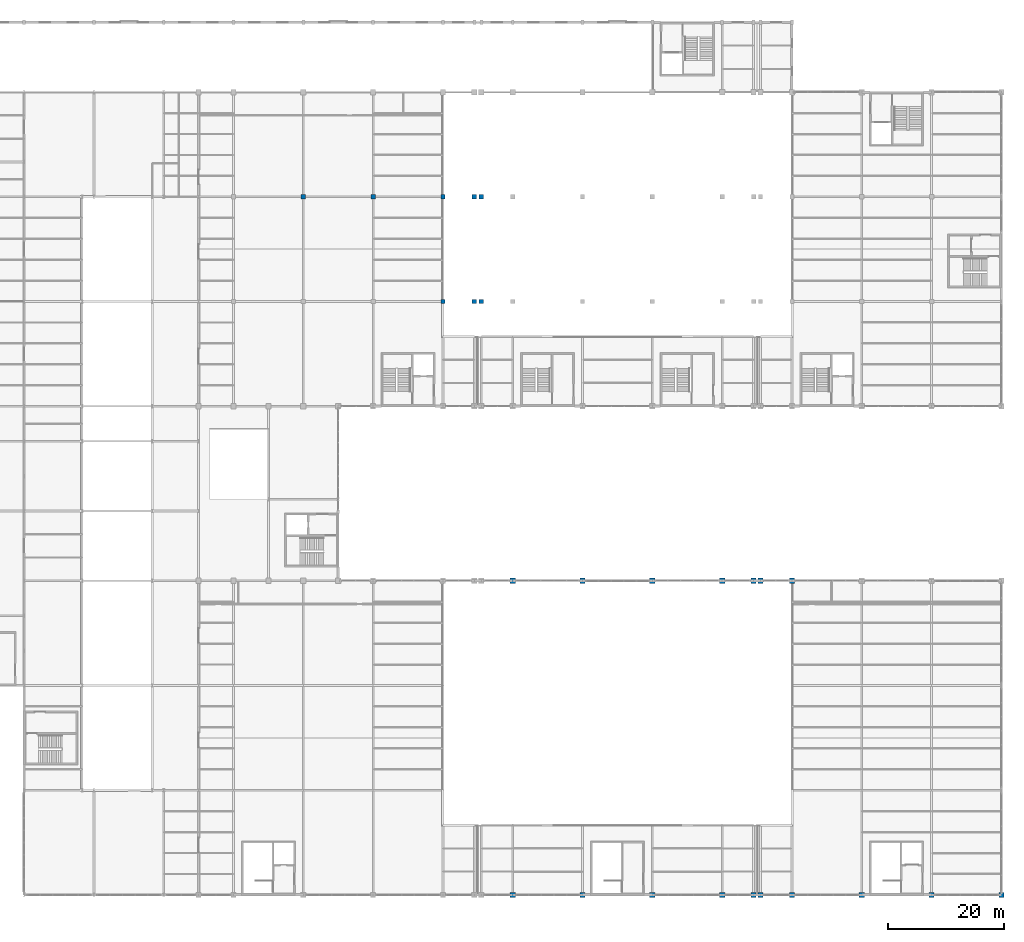
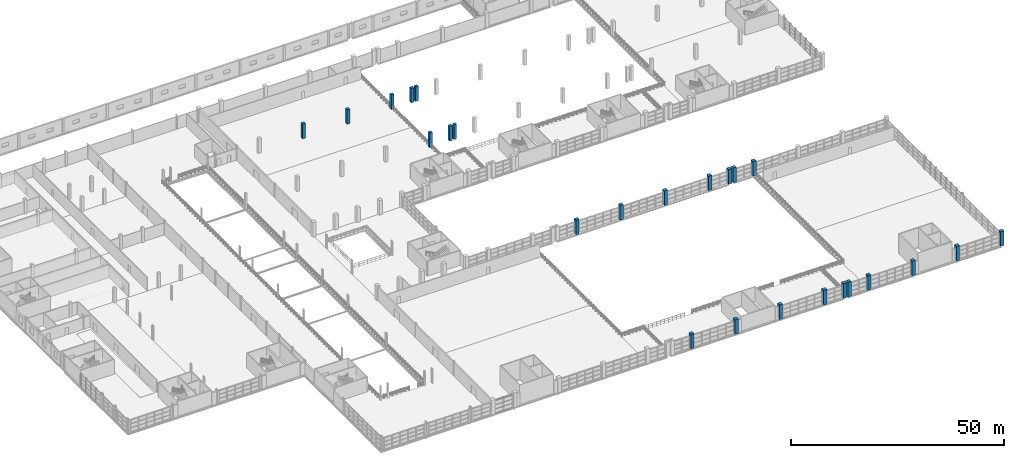
# One storey, part 15 of 158: 25 columns.
"""IFC4 building model written with IfcOpenShell, lengths in metres."""

from ifc_helpers import new_model, si_unit, direction, frame, origin, origin_2d, place, context, subcontext, project, spatial, rectangle, extrude, material, material_profile, profile_set, type_object, element, save


model = new_model("IFC4")

# Units and contexts
model_context = context("Model", 3, precision=1e-05, world=origin(), true_north=direction((0.0, 1.0)))
body_context = subcontext(model_context, "Body", "Model", "MODEL_VIEW")
ifc_project = project(units=[si_unit("LENGTHUNIT", "METRE"), si_unit("AREAUNIT", "SQUARE_METRE"), si_unit("VOLUMEUNIT", "CUBIC_METRE"), si_unit("PLANEANGLEUNIT", "RADIAN"), si_unit("MASSUNIT", "GRAM", prefix="KILO")], contexts=[model_context])

# Site, building, storey
site_placement = place(None, origin())
site = spatial("IfcSite", under=ifc_project, at=site_placement, CompositionType="ELEMENT")
building_placement = place(site_placement, origin())
building = spatial("IfcBuilding", under=site, at=building_placement, Name="Zilviju Railside Exhibition Hall", CompositionType="ELEMENT")
storey_placement = place(building_placement, frame((0.0, 0.0, 4.199951171875)))
storey = spatial("IfcBuildingStorey", under=building, at=storey_placement, Name="L02", CompositionType="ELEMENT", Elevation=4.199951171875)

# Columns
ifc_material_1 = material(Name="Concrete C35/45", Category="concrete")
ifc_material_profile_1 = material_profile(ifc_material_1, rectangle(XDim=0.75, YDim=0.75, at=origin_2d()), Name="RC COL 750x750")
ifc_profile_set_1 = profile_set([ifc_material_profile_1], Name="Concrete C35/45")
column_type_1 = type_object("IfcColumnType", Name="COL-RC-750", PredefinedType="COLUMN", material=ifc_profile_set_1)
for number, where, z_axis, x_axis, name in (
    (1, (120.0, 102.0, 0.0), (0.0, 0.0, 1.0), (1.0, 0.0, 0.0), "Structural Column L02 (120.0, 102.0)"),
    (2, (125.39990234375, 102.0, 0.0), (0.0, 0.0, 1.0), (1.0, 0.0, 0.0), "Structural Column L02 (125.4, 102.0)"),
    (3, (126.60009765625, 102.0, 0.0), (0.0, 0.0, 1.0), (1.0, 0.0, 0.0), "Structural Column L02 (126.6, 102.0)"),
    (4, (96.0, 120.0, 0.0), (0.0, 0.0, 1.0), (1.0, 0.0, 0.0), "Structural Column L02 (96.0, 120.0)"),
    (5, (108.0, 120.0, 0.0), (0.0, 0.0, 1.0), (1.0, 0.0, 0.0), "Structural Column L02 (108.0, 120.0)"),
    (6, (120.0, 120.0, 0.0), (0.0, 0.0, 1.0), (1.0, 0.0, 0.0), "Structural Column L02 (120.0, 120.0)"),
    (7, (125.39990234375, 120.0, 0.0), (0.0, 0.0, 1.0), (1.0, 0.0, 0.0), "Structural Column L02 (125.4, 120.0)"),
    (8, (126.60009765625, 120.0, 0.0), (0.0, 0.0, 1.0), (1.0, 0.0, 0.0), "Structural Column L02 (126.6, 120.0)"),
):
    element("IfcColumn", number, at=place(storey_placement, frame(where, z_axis=z_axis, x_axis=x_axis)), inside=storey, type_object=column_type_1, Name=name, PredefinedType="COLUMN", context=body_context, shape_type="SweptSolid", body=[
        extrude(rectangle(XDim=0.75, YDim=0.75, at=origin_2d()), origin(), (0.0, 0.0, 1.0), 4.199951171875),
    ])
ifc_material_2 = material(Name="Concrete C40/50", Category="concrete")
ifc_material_profile_2 = material_profile(ifc_material_2, rectangle(XDim=0.89990234375, YDim=0.89990234375, at=origin_2d()), Name="RC COL 900x900")
ifc_profile_set_2 = profile_set([ifc_material_profile_2], Name="Concrete C40/50")
column_type_2 = type_object("IfcColumnType", Name="COL-RC-900", PredefinedType="COLUMN", material=ifc_profile_set_2)
for number, where, z_axis, x_axis, name in (
    (9, (132.0, 0.0, 0.0), (0.0, 0.0, 1.0), (1.0, 0.0, 0.0), "Structural Column L02 (132.0, 0.0)"),
    (10, (144.0, 0.0, 0.0), (0.0, 0.0, 1.0), (1.0, 0.0, 0.0), "Structural Column L02 (144.0, 0.0)"),
    (11, (156.0, 0.0, 0.0), (0.0, 0.0, 1.0), (1.0, 0.0, 0.0), "Structural Column L02 (156.0, 0.0)"),
    (12, (168.0, 0.0, 0.0), (0.0, 0.0, 1.0), (1.0, 0.0, 0.0), "Structural Column L02 (168.0, 0.0)"),
    (13, (173.39990234375, 0.0, 0.0), (0.0, 0.0, 1.0), (1.0, 0.0, 0.0), "Structural Column L02 (173.4, 0.0)"),
    (14, (174.60009765625, 0.0, 0.0), (0.0, 0.0, 1.0), (1.0, 0.0, 0.0), "Structural Column L02 (174.6, 0.0)"),
    (15, (180.0, 0.0, 0.0), (0.0, 0.0, 1.0), (1.0, 0.0, 0.0), "Structural Column L02 (180.0, 0.0)"),
    (16, (192.0, 0.0, 0.0), (0.0, 0.0, 1.0), (1.0, 0.0, 0.0), "Structural Column L02 (192.0, 0.0)"),
    (17, (204.0, 0.0, 0.0), (0.0, 0.0, 1.0), (1.0, 0.0, 0.0), "Structural Column L02 (204.0, 0.0)"),
    (18, (216.0, 0.0, 0.0), (0.0, 0.0, 1.0), (1.0, 0.0, 0.0), "Structural Column L02 (216.0, 0.0)"),
    (19, (132.0, 54.0, 0.0), (0.0, 0.0, 1.0), (1.0, 0.0, 0.0), "Structural Column L02 (132.0, 54.0)"),
    (20, (144.0, 54.0, 0.0), (0.0, 0.0, 1.0), (1.0, 0.0, 0.0), "Structural Column L02 (144.0, 54.0)"),
    (21, (156.0, 54.0, 0.0), (0.0, 0.0, 1.0), (1.0, 0.0, 0.0), "Structural Column L02 (156.0, 54.0)"),
    (22, (168.0, 54.0, 0.0), (0.0, 0.0, 1.0), (1.0, 0.0, 0.0), "Structural Column L02 (168.0, 54.0)"),
    (23, (173.39990234375, 54.0, 0.0), (0.0, 0.0, 1.0), (1.0, 0.0, 0.0), "Structural Column L02 (173.4, 54.0)"),
    (24, (174.60009765625, 54.0, 0.0), (0.0, 0.0, 1.0), (1.0, 0.0, 0.0), "Structural Column L02 (174.6, 54.0)"),
    (25, (180.0, 54.0, 0.0), (0.0, 0.0, 1.0), (1.0, 0.0, 0.0), "Structural Column L02 (180.0, 54.0)"),
):
    element("IfcColumn", number, at=place(storey_placement, frame(where, z_axis=z_axis, x_axis=x_axis)), inside=storey, type_object=column_type_2, Name=name, PredefinedType="COLUMN", context=body_context, shape_type="SweptSolid", body=[
        extrude(rectangle(XDim=0.89990234375, YDim=0.89990234375, at=origin_2d()), origin(), (0.0, 0.0, 1.0), 4.199951171875),
    ])

save(model, "model.ifc")
